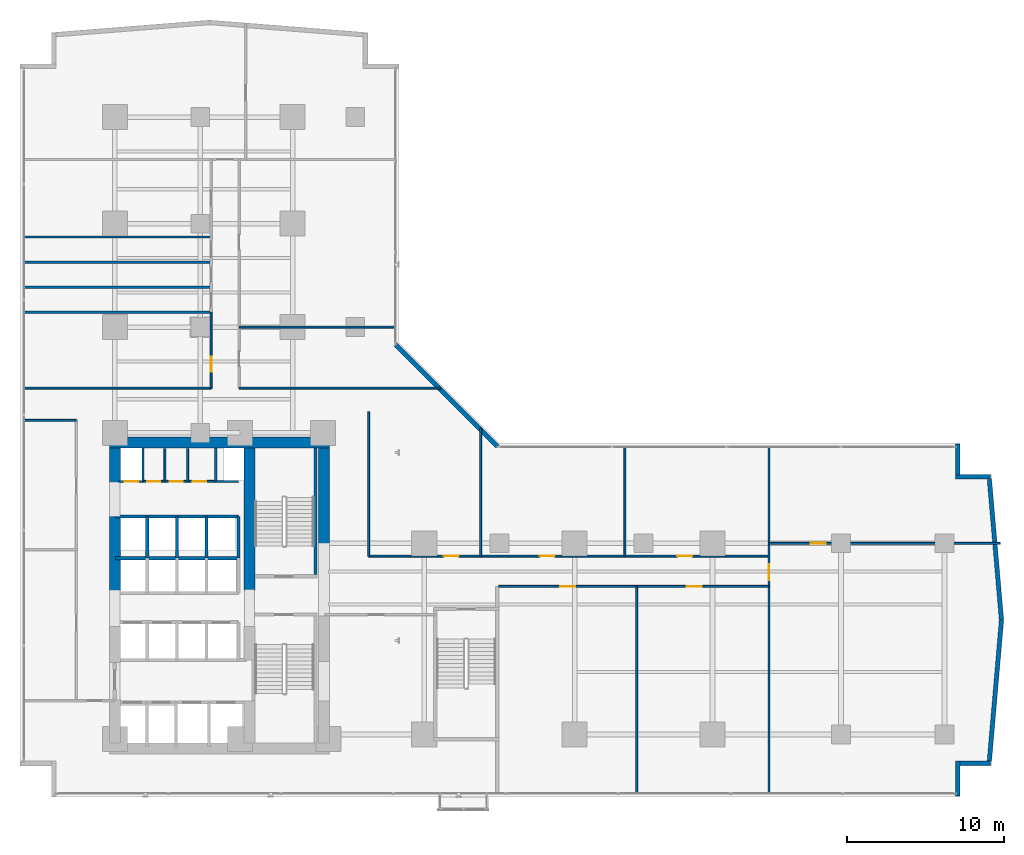
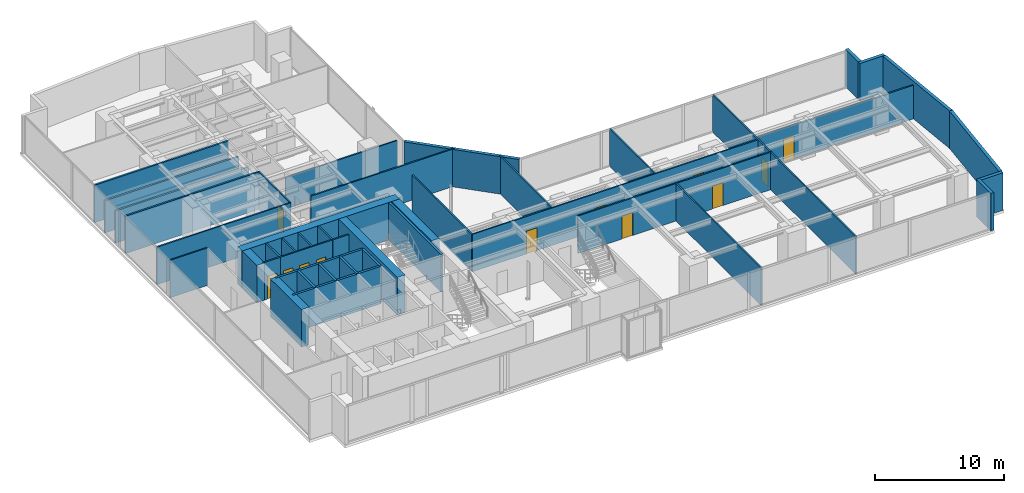
# One storey, part 23 of 26: 43 walls, 12 doors, 12 openings.
"""IFC4 building model written with IfcOpenShell, lengths in metres."""

from ifc_helpers import new_model, si_unit, direction, frame, frame_2d, origin, place, context, subcontext, project, spatial, rectangle, extrude, material, layer, layer_set, type_object, element, fill, save


model = new_model("IFC4")

# Units and contexts
model_context = context("Model", 3, precision=1e-05, world=origin(), true_north=direction((0.0, 1.0)))
body_context = subcontext(model_context, "Body", "Model", "MODEL_VIEW")
ifc_project = project(units=[si_unit("LENGTHUNIT", "METRE"), si_unit("AREAUNIT", "SQUARE_METRE"), si_unit("VOLUMEUNIT", "CUBIC_METRE"), si_unit("PLANEANGLEUNIT", "RADIAN"), si_unit("MASSUNIT", "GRAM", prefix="KILO")], contexts=[model_context])

# Site, building, storey
site_placement = place(None, origin())
site = spatial("IfcSite", under=ifc_project, at=site_placement, CompositionType="ELEMENT")
building_placement = place(site_placement, origin())
building = spatial("IfcBuilding", under=site, at=building_placement, Name="Kolvaren Waterfront Exchange", CompositionType="ELEMENT")
storey_placement = place(building_placement, frame((0.0, 0.0, 48.60009765625)))
storey = spatial("IfcBuildingStorey", under=building, at=storey_placement, Name="L12", CompositionType="ELEMENT", Elevation=48.60009765625)

# Walls
ifc_material_1 = material(Name="Precast concrete C40/50", Category="concrete")
ifc_layer_1 = layer(ifc_material_1, 0.280029296875, Name="Precast concrete C40/50")
ifc_layer_set_1 = layer_set([ifc_layer_1], Name="Precast concrete C40/50")
wall_type_1 = type_object("IfcWallType", Name="ARC-EXT-TERR-280", PredefinedType="SOLIDWALL", material=ifc_layer_set_1)
wall_1_placement = place(storey_placement, frame((61.239990234375, 1.260009765625, 0.0), z_axis=(0.0, 0.0, 1.0), x_axis=(0.0, 1.0, 0.0)))
element("IfcWall", 1, at=wall_1_placement, inside=storey, type_object=wall_type_1, Name="L12 notched corner spandrel pier SE-A", PredefinedType="SOLIDWALL", context=body_context, shape_type="SweptSolid", body=[
    extrude(rectangle(XDim=2.239990234375, YDim=0.280029296875, at=frame_2d((1.1201171875, 0.0))), origin(), (0.0, 0.0, 1.0), 3.539794921875),
])
wall_2_placement = place(storey_placement, frame((61.3798828125, 3.360107421875, 0.0), z_axis=(0.0, 0.0, 1.0), x_axis=(1.0, 0.0, 0.0)))
element("IfcWall", 2, at=wall_2_placement, inside=storey, type_object=wall_type_1, Name="L12 notched corner spandrel pier SE-B", PredefinedType="SOLIDWALL", context=body_context, shape_type="SweptSolid", body=[
    extrude(rectangle(XDim=1.960205078125, YDim=0.280029296875, at=frame_2d((0.97998046875, 0.0))), origin(), (0.0, 0.0, 1.0), 3.539794921875),
])
wall_3_placement = place(storey_placement, frame((61.239990234375, 21.764892578125, 0.0), z_axis=(0.0, 0.0, 1.0), x_axis=(0.0, 1.0, 0.0)))
element("IfcWall", 3, at=wall_3_placement, inside=storey, type_object=wall_type_1, Name="L12 notched corner spandrel pier ENE-A", PredefinedType="SOLIDWALL", context=body_context, shape_type="SweptSolid", body=[
    extrude(rectangle(XDim=1.97509765625, YDim=0.280029296875, at=frame_2d((0.987548828125, 0.0))), origin(), (0.0, 0.0, 1.0), 3.539794921875),
])
wall_4_placement = place(storey_placement, frame((61.10009765625, 21.639892578125, 0.0), z_axis=(0.0, 0.0, 1.0), x_axis=(1.0, 0.0, 0.0)))
element("IfcWall", 4, at=wall_4_placement, inside=storey, type_object=wall_type_1, Name="L12 notched corner spandrel pier ENE-B", PredefinedType="SOLIDWALL", context=body_context, shape_type="SweptSolid", body=[
    extrude(rectangle(XDim=2.239990234375, YDim=0.280029296875, at=frame_2d((1.1201171875, 0.0))), origin(), (0.0, 0.0, 1.0), 3.539794921875),
])
wall_5_placement = place(storey_placement, frame((31.885009765625, 23.574951171875, 0.0), z_axis=(0.0, 0.0, 1.0), x_axis=(-0.707106781187, 0.707106781187, 0.0)))
element("IfcWall", 5, at=wall_5_placement, inside=storey, type_object=wall_type_1, Name="L12 notched corner spandrel pier ELBOW", PredefinedType="SOLIDWALL", context=body_context, shape_type="SweptSolid", body=[
    extrude(rectangle(XDim=9.20654296875, YDim=0.280029296875, at=frame_2d((4.603271484375, 0.0))), origin(), (0.0, 0.0, 1.0), 3.539794921875),
])
for number, where, z_axis, x_axis, name in (
    (6, (63.266357421875, 3.5126953125, 0.0), (0.0, 0.0, 1.0), (0.085692274626, 0.996321651912, 0.0), "L12 east prow faceted facade wall 1"),
    (7, (64.038818359375, 12.506103515625, 0.0), (0.0, 0.0, 1.0), (-0.085692274626, 0.996321651912, 0.0), "L12 east prow faceted facade wall 2"),
):
    element("IfcWall", number, at=place(storey_placement, frame(where, z_axis=z_axis, x_axis=x_axis)), inside=storey, type_object=wall_type_1, Name=name, PredefinedType="SOLIDWALL", context=body_context, shape_type="SweptSolid", body=[
        extrude(rectangle(XDim=9.014404296875, YDim=0.280029296875, at=frame_2d((4.50732421875, 0.0))), origin(), (0.0, 0.0, 1.0), 3.539794921875),
    ])

# Wall, openings, doors
ifc_material_2 = material(Name="Acoustic gypsum steel stud", Category="steel")
ifc_layer_2 = layer(ifc_material_2, 0.125, Name="Acoustic gypsum steel stud")
ifc_layer_set_2 = layer_set([ifc_layer_2], Name="Acoustic gypsum steel stud")
wall_type_2 = type_object("IfcWallType", Name="ARC-PART-125", PredefinedType="PARTITIONING", material=ifc_layer_set_2)
wall_6_placement = place(storey_placement, frame((9.25, 21.35009765625, 0.0), z_axis=(0.0, 0.0, 1.0), x_axis=(1.0, 0.0, 0.0)))
wall_6 = element("IfcWall", 8, at=wall_6_placement, inside=storey, type_object=wall_type_2, Name="L12 interior wall PW-L12-SVC-EX-S", PredefinedType="PARTITIONING", context=body_context, shape_type="SweptSolid", body=[
    extrude(rectangle(XDim=4.64990234375, YDim=0.125, at=frame_2d((2.324951171875, 0.0))), origin(), (0.0, 0.0, 1.0), 3.539794921875),
])
opening_1_placement = place(wall_6_placement, frame((0.264892578125, 0.0, 0.0)))
opening_1 = element("IfcOpeningElement", 9, at=opening_1_placement, cuts=wall_6, Name="Opening D01", PredefinedType="OPENING", context=body_context, shape_type="SweptSolid", body=[
    extrude(rectangle(XDim=0.85009765625, YDim=2.14990234375, at=frame_2d((0.425048828125, 1.074951171875))), frame((0.0, 0.072509765625, 0.0), z_axis=(0.0, -1.0, 0.0), x_axis=(1.0, 0.0, 0.0)), (0.0, 0.0, 1.0), 0.14501953125),
])
opening_2_placement = place(wall_6_placement, frame((1.695068359375, 0.0, 0.0)))
opening_2 = element("IfcOpeningElement", 10, at=opening_2_placement, cuts=wall_6, Name="Opening D01", PredefinedType="OPENING", context=body_context, shape_type="SweptSolid", body=[
    extrude(rectangle(XDim=0.85009765625, YDim=2.14990234375, at=frame_2d((0.425048828125, 1.074951171875))), frame((0.0, 0.072509765625, 0.0), z_axis=(0.0, -1.0, 0.0), x_axis=(1.0, 0.0, 0.0)), (0.0, 0.0, 1.0), 0.14501953125),
])
opening_3_placement = place(wall_6_placement, frame((3.18994140625, 0.0, 0.0)))
opening_3 = element("IfcOpeningElement", 11, at=opening_3_placement, cuts=wall_6, Name="Opening D01", PredefinedType="OPENING", context=body_context, shape_type="SweptSolid", body=[
    extrude(rectangle(XDim=0.85009765625, YDim=2.14990234375, at=frame_2d((0.425048828125, 1.074951171875))), frame((0.0, 0.072509765625, 0.0), z_axis=(0.0, -1.0, 0.0), x_axis=(1.0, 0.0, 0.0)), (0.0, 0.0, 1.0), 0.14501953125),
])
ifc_material_3 = material(Name="Oak veneer timber leaf", Category="wood")
door_type_1 = type_object("IfcDoorType", Name="ARC-DR-900", OperationType="NOTDEFINED", PredefinedType="DOOR", material=ifc_material_3)
door_1_placement = place(opening_1_placement, origin())
door_1 = element("IfcDoor", 12, at=door_1_placement, inside=storey, type_object=door_type_1, Name="L12 door DR-L12-SVC-DR-1 (D01)", OperationType="SINGLE_SWING_LEFT", OverallHeight=2.14990234375, OverallWidth=0.85009765625, PredefinedType="DOOR", context=body_context, shape_type="SweptSolid", body=[
    extrude(rectangle(XDim=0.85009765625, YDim=2.14990234375, at=frame_2d((0.425048828125, 1.074951171875))), frame((0.0, 0.02490234375, 0.0), z_axis=(0.0, -1.0, 0.0), x_axis=(1.0, 0.0, 0.0)), (0.0, 0.0, 1.0), 0.050048828125),
])
fill(opening_1, door_1)
door_2_placement = place(opening_2_placement, origin())
door_2 = element("IfcDoor", 13, at=door_2_placement, inside=storey, type_object=door_type_1, Name="L12 door DR-L12-SVC-DR-2 (D01)", OperationType="SINGLE_SWING_RIGHT", OverallHeight=2.14990234375, OverallWidth=0.85009765625, PredefinedType="DOOR", context=body_context, shape_type="SweptSolid", body=[
    extrude(rectangle(XDim=0.85009765625, YDim=2.14990234375, at=frame_2d((0.425048828125, 1.074951171875))), frame((0.0, 0.02490234375, 0.0), z_axis=(0.0, -1.0, 0.0), x_axis=(1.0, 0.0, 0.0)), (0.0, 0.0, 1.0), 0.050048828125),
])
fill(opening_2, door_2)
door_3_placement = place(opening_3_placement, origin())
door_3 = element("IfcDoor", 14, at=door_3_placement, inside=storey, type_object=door_type_1, Name="L12 door DR-L12-SVC-DR-3 (D01)", OperationType="SINGLE_SWING_LEFT", OverallHeight=2.14990234375, OverallWidth=0.85009765625, PredefinedType="DOOR", context=body_context, shape_type="SweptSolid", body=[
    extrude(rectangle(XDim=0.85009765625, YDim=2.14990234375, at=frame_2d((0.425048828125, 1.074951171875))), frame((0.0, 0.02490234375, 0.0), z_axis=(0.0, -1.0, 0.0), x_axis=(1.0, 0.0, 0.0)), (0.0, 0.0, 1.0), 0.050048828125),
])
fill(opening_3, door_3)

# Walls
for number, where, z_axis, x_axis, name in (
    (15, (10.64990234375, 21.35009765625, 0.0), (0.0, 0.0, 1.0), (0.0, 1.0, 0.0), "L12 interior wall PW-L12-SVC-EX-A"),
    (16, (12.10009765625, 21.35009765625, 0.0), (0.0, 0.0, 1.0), (0.0, 1.0, 0.0), "L12 interior wall PW-L12-SVC-EX-B"),
):
    element("IfcWall", number, at=place(storey_placement, frame(where, z_axis=z_axis, x_axis=x_axis)), inside=storey, type_object=wall_type_2, Name=name, PredefinedType="PARTITIONING", context=body_context, shape_type="SweptSolid", body=[
        extrude(rectangle(XDim=2.099853515625, YDim=0.125, at=frame_2d((1.0498046875, 0.0))), origin(), (0.0, 0.0, 1.0), 3.539794921875),
    ])

# Wall, opening, door
wall_7_placement = place(storey_placement, frame((13.60009765625, 27.300048828125, 0.0), z_axis=(0.0, 0.0, 1.0), x_axis=(0.0, 1.0, 0.0)))
wall_7 = element("IfcWall", 17, at=wall_7_placement, inside=storey, type_object=wall_type_2, Name="L12 interior wall PW-L12-PREWC-E", PredefinedType="PARTITIONING", context=body_context, shape_type="SweptSolid", body=[
    extrude(rectangle(XDim=4.849853515625, YDim=0.125, at=frame_2d((2.4248046875, 0.0))), origin(), (0.0, 0.0, 1.0), 3.539794921875),
])
opening_4_placement = place(wall_7_placement, frame((1.050048828125, 0.0, 0.0)))
opening_4 = element("IfcOpeningElement", 18, at=opening_4_placement, cuts=wall_7, Name="Opening D02", PredefinedType="OPENING", context=body_context, shape_type="SweptSolid", body=[
    extrude(rectangle(XDim=0.949951171875, YDim=2.14990234375, at=frame_2d((0.47509765625, 1.074951171875))), frame((0.0, 0.072509765625, 0.0), z_axis=(0.0, -1.0, 0.0), x_axis=(1.0, 0.0, 0.0)), (0.0, 0.0, 1.0), 0.14501953125),
])
ifc_material_4 = material(Name="Oak veneer acoustic timber", Category="wood")
door_type_2 = type_object("IfcDoorType", Name="ARC-DR-950", OperationType="NOTDEFINED", PredefinedType="DOOR", material=ifc_material_4)
door_4_placement = place(opening_4_placement, origin())
door_4 = element("IfcDoor", 19, at=door_4_placement, inside=storey, type_object=door_type_2, Name="L12 door DR-L12-PREWC-D (D02)", OperationType="SINGLE_SWING_RIGHT", OverallHeight=2.14990234375, OverallWidth=0.949951171875, PredefinedType="DOOR", context=body_context, shape_type="SweptSolid", body=[
    extrude(rectangle(XDim=0.949951171875, YDim=2.14990234375, at=frame_2d((0.47509765625, 1.074951171875))), frame((0.0, 0.02490234375, 0.0), z_axis=(0.0, -1.0, 0.0), x_axis=(1.0, 0.0, 0.0)), (0.0, 0.0, 1.0), 0.050048828125),
])
fill(opening_4, door_4)

# Walls
wall_8_placement = place(storey_placement, frame((1.639892578125, 27.300048828125, 0.0), z_axis=(0.0, 0.0, 1.0), x_axis=(1.0, 0.0, 0.0)))
element("IfcWall", 20, at=wall_8_placement, inside=storey, type_object=wall_type_2, Name="L12 interior wall PW-L12-PREWC-S", PredefinedType="PARTITIONING", context=body_context, shape_type="SweptSolid", body=[
    extrude(rectangle(XDim=11.960205078125, YDim=0.125, at=frame_2d((5.97998046875, 0.0))), origin(), (0.0, 0.0, 1.0), 3.539794921875),
])
wall_9_placement = place(storey_placement, frame((1.639892578125, 25.25, 0.0), z_axis=(0.0, 0.0, 1.0), x_axis=(1.0, 0.0, 0.0)))
element("IfcWall", 21, at=wall_9_placement, inside=storey, type_object=wall_type_2, Name="L12 interior wall PW-L12-WFLANK-N", PredefinedType="PARTITIONING", context=body_context, shape_type="SweptSolid", body=[
    extrude(rectangle(XDim=3.360107421875, YDim=0.125, at=frame_2d((1.68017578125, 0.0))), origin(), (0.0, 0.0, 1.0), 3.539794921875),
])

# Wall, openings, doors
wall_10_placement = place(storey_placement, frame((31.949951171875, 14.64990234375, 0.0), z_axis=(0.0, 0.0, 1.0), x_axis=(1.0, 0.0, 0.0)))
wall_10 = element("IfcWall", 22, at=wall_10_placement, inside=storey, type_object=wall_type_2, Name="L12 interior wall PW-L12-ES-CORR", PredefinedType="PARTITIONING", context=body_context, shape_type="SweptSolid", body=[
    extrude(rectangle(XDim=17.25, YDim=0.125, at=frame_2d((8.625, 0.0))), origin(), (0.0, 0.0, 1.0), 3.539794921875),
])
opening_5_placement = place(wall_10_placement, frame((3.925048828125, 0.0, 0.0)))
opening_5 = element("IfcOpeningElement", 23, at=opening_5_placement, cuts=wall_10, Name="Opening D02", PredefinedType="OPENING", context=body_context, shape_type="SweptSolid", body=[
    extrude(rectangle(XDim=0.949951171875, YDim=2.14990234375, at=frame_2d((0.47509765625, 1.074951171875))), frame((0.0, 0.072509765625, 0.0), z_axis=(0.0, -1.0, 0.0), x_axis=(1.0, 0.0, 0.0)), (0.0, 0.0, 1.0), 0.14501953125),
])
opening_6_placement = place(wall_10_placement, frame((12.0048828125, 0.0, 0.0)))
opening_6 = element("IfcOpeningElement", 24, at=opening_6_placement, cuts=wall_10, Name="Opening D02", PredefinedType="OPENING", context=body_context, shape_type="SweptSolid", body=[
    extrude(rectangle(XDim=0.949951171875, YDim=2.14990234375, at=frame_2d((0.47509765625, 1.074951171875))), frame((0.0, 0.072509765625, 0.0), z_axis=(0.0, -1.0, 0.0), x_axis=(1.0, 0.0, 0.0)), (0.0, 0.0, 1.0), 0.14501953125),
])
door_5_placement = place(opening_5_placement, origin())
door_5 = element("IfcDoor", 25, at=door_5_placement, inside=storey, type_object=door_type_2, Name="L12 door DR-L12-ES-D-1 (D02)", OperationType="SINGLE_SWING_RIGHT", OverallHeight=2.14990234375, OverallWidth=0.949951171875, PredefinedType="DOOR", context=body_context, shape_type="SweptSolid", body=[
    extrude(rectangle(XDim=0.949951171875, YDim=2.14990234375, at=frame_2d((0.47509765625, 1.074951171875))), frame((0.0, 0.02490234375, 0.0), z_axis=(0.0, -1.0, 0.0), x_axis=(1.0, 0.0, 0.0)), (0.0, 0.0, 1.0), 0.050048828125),
])
fill(opening_5, door_5)
door_6_placement = place(opening_6_placement, origin())
door_6 = element("IfcDoor", 26, at=door_6_placement, inside=storey, type_object=door_type_2, Name="L12 door DR-L12-ES-D-2 (D02)", OperationType="SINGLE_SWING_LEFT", OverallHeight=2.14990234375, OverallWidth=0.949951171875, PredefinedType="DOOR", context=body_context, shape_type="SweptSolid", body=[
    extrude(rectangle(XDim=0.949951171875, YDim=2.14990234375, at=frame_2d((0.47509765625, 1.074951171875))), frame((0.0, 0.02490234375, 0.0), z_axis=(0.0, -1.0, 0.0), x_axis=(1.0, 0.0, 0.0)), (0.0, 0.0, 1.0), 0.050048828125),
])
fill(opening_6, door_6)

# Wall
wall_11_placement = place(storey_placement, frame((40.75, 1.43994140625, 0.0), z_axis=(0.0, 0.0, 1.0), x_axis=(0.0, 1.0, 0.0)))
element("IfcWall", 27, at=wall_11_placement, inside=storey, type_object=wall_type_2, Name="L12 interior wall PW-L12-ES-DIV-1", PredefinedType="PARTITIONING", context=body_context, shape_type="SweptSolid", body=[
    extrude(rectangle(XDim=13.2099609375, YDim=0.125, at=frame_2d((6.60498046875, 0.0))), origin(), (0.0, 0.0, 1.0), 3.539794921875),
])

# Wall, opening, door
wall_12_placement = place(storey_placement, frame((49.199951171875, 1.43994140625, 0.0), z_axis=(0.0, 0.0, 1.0), x_axis=(0.0, 1.0, 0.0)))
wall_12 = element("IfcWall", 28, at=wall_12_placement, inside=storey, type_object=wall_type_2, Name="L12 interior wall PW-L12-ETIP-W", PredefinedType="PARTITIONING", context=body_context, shape_type="SweptSolid", body=[
    extrude(rectangle(XDim=22.1201171875, YDim=0.125, at=frame_2d((11.06005859375, 0.0))), origin(), (0.0, 0.0, 1.0), 3.539794921875),
])
opening_7_placement = place(wall_12_placement, frame((13.610107421875, 0.0, 0.0)))
opening_7 = element("IfcOpeningElement", 29, at=opening_7_placement, cuts=wall_12, Name="Opening D03", PredefinedType="OPENING", context=body_context, shape_type="SweptSolid", body=[
    extrude(rectangle(XDim=1.0, YDim=2.199951171875, at=frame_2d((0.5, 1.10009765625))), frame((0.0, 0.072509765625, 0.0), z_axis=(0.0, -1.0, 0.0), x_axis=(1.0, 0.0, 0.0)), (0.0, 0.0, 1.0), 0.14501953125),
])
ifc_material_5 = material(Name="Oak veneer accessible timber", Category="wood")
door_type_3 = type_object("IfcDoorType", Name="ARC-DR-1000", OperationType="NOTDEFINED", PredefinedType="DOOR", material=ifc_material_5)
door_7_placement = place(opening_7_placement, origin())
door_7 = element("IfcDoor", 30, at=door_7_placement, inside=storey, type_object=door_type_3, Name="L12 door DR-L12-ETIP1-D (D03)", OperationType="SINGLE_SWING_RIGHT", OverallHeight=2.199951171875, OverallWidth=1.0, PredefinedType="DOOR", context=body_context, shape_type="SweptSolid", body=[
    extrude(rectangle(XDim=1.0, YDim=2.199951171875, at=frame_2d((0.5, 1.10009765625))), frame((0.0, 0.02490234375, 0.0), z_axis=(0.0, -1.0, 0.0), x_axis=(1.0, 0.0, 0.0)), (0.0, 0.0, 1.0), 0.050048828125),
])
fill(opening_7, door_7)

wall_13_placement = place(storey_placement, frame((49.199951171875, 17.39990234375, 0.0), z_axis=(0.0, 0.0, 1.0), x_axis=(1.0, 0.0, 0.0)))
wall_13 = element("IfcWall", 31, at=wall_13_placement, inside=storey, type_object=wall_type_2, Name="L12 interior wall PW-L12-ETIP-MID", PredefinedType="PARTITIONING", context=body_context, shape_type="SweptSolid", body=[
    extrude(rectangle(XDim=14.760009765625, YDim=0.125, at=frame_2d((7.3798828125, 0.0))), origin(), (0.0, 0.0, 1.0), 3.179931640625),
])
opening_8_placement = place(wall_13_placement, frame((2.66259765625, 0.0, 0.0)))
opening_8 = element("IfcOpeningElement", 32, at=opening_8_placement, cuts=wall_13, Name="Opening D02", PredefinedType="OPENING", context=body_context, shape_type="SweptSolid", body=[
    extrude(rectangle(XDim=0.949951171875, YDim=2.14990234375, at=frame_2d((0.47509765625, 1.074951171875))), frame((0.0, 0.072509765625, 0.0), z_axis=(0.0, -1.0, 0.0), x_axis=(1.0, 0.0, 0.0)), (0.0, 0.0, 1.0), 0.14501953125),
])
door_8_placement = place(opening_8_placement, origin())
door_8 = element("IfcDoor", 33, at=door_8_placement, inside=storey, type_object=door_type_2, Name="L12 door DR-L12-ETIP2-D (D02)", OperationType="SINGLE_SWING_LEFT", OverallHeight=2.14990234375, OverallWidth=0.949951171875, PredefinedType="DOOR", context=body_context, shape_type="SweptSolid", body=[
    extrude(rectangle(XDim=0.949951171875, YDim=2.14990234375, at=frame_2d((0.47509765625, 1.074951171875))), frame((0.0, 0.02490234375, 0.0), z_axis=(0.0, -1.0, 0.0), x_axis=(1.0, 0.0, 0.0)), (0.0, 0.0, 1.0), 0.050048828125),
])
fill(opening_8, door_8)

# Wall
wall_14_placement = place(storey_placement, frame((23.64990234375, 16.590087890625, 0.0), z_axis=(0.0, 0.0, 1.0), x_axis=(0.0, 1.0, 0.0)))
element("IfcWall", 34, at=wall_14_placement, inside=storey, type_object=wall_type_2, Name="L12 interior wall PW-L12-EN-W0", PredefinedType="PARTITIONING", context=body_context, shape_type="SweptSolid", body=[
    extrude(rectangle(XDim=9.2099609375, YDim=0.125, at=frame_2d((4.60498046875, 0.0))), origin(), (0.0, 0.0, 1.0), 3.539794921875),
])

# Wall, openings, doors
wall_15_placement = place(storey_placement, frame((23.64990234375, 16.590087890625, 0.0), z_axis=(0.0, 0.0, 1.0), x_axis=(1.0, 0.0, 0.0)))
wall_15 = element("IfcWall", 35, at=wall_15_placement, inside=storey, type_object=wall_type_2, Name="L12 interior wall PW-L12-EN-CORR", PredefinedType="PARTITIONING", context=body_context, shape_type="SweptSolid", body=[
    extrude(rectangle(XDim=25.550048828125, YDim=0.125, at=frame_2d((12.77490234375, 0.0))), origin(), (0.0, 0.0, 1.0), 3.539794921875),
])
opening_9_placement = place(wall_15_placement, frame((4.805419921875, 0.0, 0.0)))
opening_9 = element("IfcOpeningElement", 36, at=opening_9_placement, cuts=wall_15, Name="Opening D02", PredefinedType="OPENING", context=body_context, shape_type="SweptSolid", body=[
    extrude(rectangle(XDim=0.949951171875, YDim=2.14990234375, at=frame_2d((0.47509765625, 1.074951171875))), frame((0.0, 0.072509765625, 0.0), z_axis=(0.0, -1.0, 0.0), x_axis=(1.0, 0.0, 0.0)), (0.0, 0.0, 1.0), 0.14501953125),
])
opening_10_placement = place(wall_15_placement, frame((10.923583984375, 0.0, 0.0)))
opening_10 = element("IfcOpeningElement", 37, at=opening_10_placement, cuts=wall_15, Name="Opening D02", PredefinedType="OPENING", context=body_context, shape_type="SweptSolid", body=[
    extrude(rectangle(XDim=0.949951171875, YDim=2.14990234375, at=frame_2d((0.47509765625, 1.074951171875))), frame((0.0, 0.072509765625, 0.0), z_axis=(0.0, -1.0, 0.0), x_axis=(1.0, 0.0, 0.0)), (0.0, 0.0, 1.0), 0.14501953125),
])
opening_11_placement = place(wall_15_placement, frame((19.701904296875, 0.0, 0.0)))
opening_11 = element("IfcOpeningElement", 38, at=opening_11_placement, cuts=wall_15, Name="Opening D02", PredefinedType="OPENING", context=body_context, shape_type="SweptSolid", body=[
    extrude(rectangle(XDim=0.949951171875, YDim=2.14990234375, at=frame_2d((0.47509765625, 1.074951171875))), frame((0.0, 0.072509765625, 0.0), z_axis=(0.0, -1.0, 0.0), x_axis=(1.0, 0.0, 0.0)), (0.0, 0.0, 1.0), 0.14501953125),
])
door_9_placement = place(opening_9_placement, origin())
door_9 = element("IfcDoor", 39, at=door_9_placement, inside=storey, type_object=door_type_2, Name="L12 door DR-L12-EN-D-1 (D02)", OperationType="SINGLE_SWING_RIGHT", OverallHeight=2.14990234375, OverallWidth=0.949951171875, PredefinedType="DOOR", context=body_context, shape_type="SweptSolid", body=[
    extrude(rectangle(XDim=0.949951171875, YDim=2.14990234375, at=frame_2d((0.47509765625, 1.074951171875))), frame((0.0, 0.02490234375, 0.0), z_axis=(0.0, -1.0, 0.0), x_axis=(1.0, 0.0, 0.0)), (0.0, 0.0, 1.0), 0.050048828125),
])
fill(opening_9, door_9)
door_10_placement = place(opening_10_placement, origin())
door_10 = element("IfcDoor", 40, at=door_10_placement, inside=storey, type_object=door_type_2, Name="L12 door DR-L12-EN-D-2 (D02)", OperationType="SINGLE_SWING_LEFT", OverallHeight=2.14990234375, OverallWidth=0.949951171875, PredefinedType="DOOR", context=body_context, shape_type="SweptSolid", body=[
    extrude(rectangle(XDim=0.949951171875, YDim=2.14990234375, at=frame_2d((0.47509765625, 1.074951171875))), frame((0.0, 0.02490234375, 0.0), z_axis=(0.0, -1.0, 0.0), x_axis=(1.0, 0.0, 0.0)), (0.0, 0.0, 1.0), 0.050048828125),
])
fill(opening_10, door_10)
door_11_placement = place(opening_11_placement, origin())
door_11 = element("IfcDoor", 41, at=door_11_placement, inside=storey, type_object=door_type_2, Name="L12 door DR-L12-EN-D-3 (D02)", OperationType="SINGLE_SWING_RIGHT", OverallHeight=2.14990234375, OverallWidth=0.949951171875, PredefinedType="DOOR", context=body_context, shape_type="SweptSolid", body=[
    extrude(rectangle(XDim=0.949951171875, YDim=2.14990234375, at=frame_2d((0.47509765625, 1.074951171875))), frame((0.0, 0.02490234375, 0.0), z_axis=(0.0, -1.0, 0.0), x_axis=(1.0, 0.0, 0.0)), (0.0, 0.0, 1.0), 0.050048828125),
])
fill(opening_11, door_11)

# Walls
wall_16_placement = place(storey_placement, frame((30.800048828125, 16.590087890625, 0.0), z_axis=(0.0, 0.0, 1.0), x_axis=(0.0, 1.0, 0.0)))
element("IfcWall", 42, at=wall_16_placement, inside=storey, type_object=wall_type_2, Name="L12 interior wall PW-L12-EN-DIV-1", PredefinedType="PARTITIONING", context=body_context, shape_type="SweptSolid", body=[
    extrude(rectangle(XDim=8.169921875, YDim=0.125, at=frame_2d((4.0849609375, 0.0))), origin(), (0.0, 0.0, 1.0), 3.539794921875),
])
wall_17_placement = place(storey_placement, frame((40.0, 16.590087890625, 0.0), z_axis=(0.0, 0.0, 1.0), x_axis=(0.0, 1.0, 0.0)))
element("IfcWall", 43, at=wall_17_placement, inside=storey, type_object=wall_type_2, Name="L12 interior wall PW-L12-EN-DIV-2", PredefinedType="PARTITIONING", context=body_context, shape_type="SweptSolid", body=[
    extrude(rectangle(XDim=6.969970703125, YDim=0.125, at=frame_2d((3.48486328125, 0.0))), origin(), (0.0, 0.0, 1.0), 3.539794921875),
])
wall_18_placement = place(storey_placement, frame((15.3798828125, 27.300048828125, 0.0), z_axis=(0.0, 0.0, 1.0), x_axis=(1.0, 0.0, 0.0)))
element("IfcWall", 44, at=wall_18_placement, inside=storey, type_object=wall_type_2, Name="L12 interior wall PW-L12-NE-S0", PredefinedType="PARTITIONING", context=body_context, shape_type="SweptSolid", body=[
    extrude(rectangle(XDim=12.880126953125, YDim=0.125, at=frame_2d((6.43994140625, 0.0))), origin(), (0.0, 0.0, 1.0), 3.539794921875),
])
wall_19_placement = place(storey_placement, frame((15.3798828125, 31.199951171875, 0.0), z_axis=(0.0, 0.0, 1.0), x_axis=(1.0, 0.0, 0.0)))
element("IfcWall", 45, at=wall_19_placement, inside=storey, type_object=wall_type_2, Name="L12 interior wall PW-L12-NE-DIV-1", PredefinedType="PARTITIONING", context=body_context, shape_type="SweptSolid", body=[
    extrude(rectangle(XDim=9.980224609375, YDim=0.125, at=frame_2d((4.990234375, 0.0))), origin(), (0.0, 0.0, 1.0), 2.93994140625),
])
ifc_material_6 = material(Name="Gypsum fireboard steel stud", Category="steel")
ifc_layer_3 = layer(ifc_material_6, 0.14990234375, Name="Gypsum fireboard steel stud")
ifc_layer_set_3 = layer_set([ifc_layer_3], Name="Gypsum fireboard steel stud")
wall_type_3 = type_object("IfcWallType", Name="ARC-PART-150", PredefinedType="PARTITIONING", material=ifc_layer_set_3)
for number, where, z_axis, x_axis, name in (
    (46, (9.25, 21.35009765625, 0.0), (0.0, 0.0, 1.0), (0.0, 1.0, 0.0), "L12 interior wall PW-L12-SVC-R1"),
    (47, (13.89990234375, 21.35009765625, 0.0), (0.0, 0.0, 1.0), (0.0, 1.0, 0.0), "L12 interior wall PW-L12-SVC-R2"),
):
    element("IfcWall", number, at=place(storey_placement, frame(where, z_axis=z_axis, x_axis=x_axis)), inside=storey, type_object=wall_type_3, Name=name, PredefinedType="PARTITIONING", context=body_context, shape_type="SweptSolid", body=[
        extrude(rectangle(XDim=2.1298828125, YDim=0.14990234375, at=frame_2d((1.06494140625, 0.0))), origin(), (0.0, 0.0, 1.0), 3.539794921875),
    ])

# Wall, opening, door
wall_20_placement = place(storey_placement, frame((7.699951171875, 21.35009765625, 0.0), z_axis=(0.0, 0.0, 1.0), x_axis=(1.0, 0.0, 0.0)))
wall_20 = element("IfcWall", 48, at=wall_20_placement, inside=storey, type_object=wall_type_3, Name="L12 interior wall PW-L12-SVC-RE-S", PredefinedType="PARTITIONING", context=body_context, shape_type="SweptSolid", body=[
    extrude(rectangle(XDim=1.550048828125, YDim=0.14990234375, at=frame_2d((0.77490234375, 0.0))), origin(), (0.0, 0.0, 1.0), 3.539794921875),
])
opening_12_placement = place(wall_20_placement, frame((0.389892578125, 0.0, 0.0)))
opening_12 = element("IfcOpeningElement", 49, at=opening_12_placement, cuts=wall_20, Name="Opening FD1", PredefinedType="OPENING", context=body_context, shape_type="SweptSolid", body=[
    extrude(rectangle(XDim=0.85009765625, YDim=2.14990234375, at=frame_2d((0.425048828125, 1.074951171875))), frame((0.0, 0.0849609375, 0.0), z_axis=(0.0, -1.0, 0.0), x_axis=(1.0, 0.0, 0.0)), (0.0, 0.0, 1.0), 0.169921875),
])
ifc_material_7 = material(Name="Pressed steel fire leaf", Category="steel")
door_type_4 = type_object("IfcDoorType", Name="ARC-FD-900", OperationType="NOTDEFINED", PredefinedType="DOOR", material=ifc_material_7)
door_12_placement = place(opening_12_placement, origin())
door_12 = element("IfcDoor", 50, at=door_12_placement, inside=storey, type_object=door_type_4, Name="L12 door DR-L12-RISER-E-DR (FD1)", OperationType="SINGLE_SWING_RIGHT", OverallHeight=2.14990234375, OverallWidth=0.85009765625, PredefinedType="DOOR", context=body_context, shape_type="SweptSolid", body=[
    extrude(rectangle(XDim=0.85009765625, YDim=2.14990234375, at=frame_2d((0.425048828125, 1.074951171875))), frame((0.0, 0.02490234375, 0.0), z_axis=(0.0, -1.0, 0.0), x_axis=(1.0, 0.0, 0.0)), (0.0, 0.0, 1.0), 0.050048828125),
])
fill(opening_12, door_12)

# Walls
wall_21_placement = place(storey_placement, frame((13.89990234375, 21.35009765625, 0.0), z_axis=(0.0, 0.0, 1.0), x_axis=(1.0, 0.0, 0.0)))
element("IfcWall", 51, at=wall_21_placement, inside=storey, type_object=wall_type_3, Name="L12 interior wall PW-L12-SVC-RP-S", PredefinedType="PARTITIONING", context=body_context, shape_type="SweptSolid", body=[
    extrude(rectangle(XDim=1.4501953125, YDim=0.14990234375, at=frame_2d((0.72509765625, 0.0))), origin(), (0.0, 0.0, 1.0), 3.539794921875),
])
ifc_material_8 = material(Name="Moisture-resistant gypsum stud")
ifc_layer_4 = layer(ifc_material_8, 0.14990234375, Name="Moisture-resistant gypsum stud")
ifc_layer_set_4 = layer_set([ifc_layer_4], Name="Moisture-resistant gypsum stud")
wall_type_4 = type_object("IfcWallType", Name="ARC-PLUMB-150", PredefinedType="PLUMBINGWALL", material=ifc_layer_set_4)
wall_22_placement = place(storey_placement, frame((1.639892578125, 32.14990234375, 0.0), z_axis=(0.0, 0.0, 1.0), x_axis=(1.0, 0.0, 0.0)))
element("IfcWall", 52, at=wall_22_placement, inside=storey, type_object=wall_type_4, Name="L12 interior wall PW-L12-WC-0", PredefinedType="PLUMBINGWALL", context=body_context, shape_type="SweptSolid", body=[
    extrude(rectangle(XDim=11.960205078125, YDim=0.14990234375, at=frame_2d((5.97998046875, 0.0))), origin(), (0.0, 0.0, 1.0), 3.539794921875),
])
for number, where, z_axis, x_axis, name in (
    (53, (1.639892578125, 33.75, 0.0), (0.0, 0.0, 1.0), (1.0, 0.0, 0.0), "L12 interior wall PW-L12-WC-1"),
    (54, (1.639892578125, 35.35009765625, 0.0), (0.0, 0.0, 1.0), (1.0, 0.0, 0.0), "L12 interior wall PW-L12-WC-2"),
):
    element("IfcWall", number, at=place(storey_placement, frame(where, z_axis=z_axis, x_axis=x_axis)), inside=storey, type_object=wall_type_4, Name=name, PredefinedType="PLUMBINGWALL", context=body_context, shape_type="SweptSolid", body=[
        extrude(rectangle(XDim=11.960205078125, YDim=0.14990234375, at=frame_2d((5.97998046875, 0.0))), origin(), (0.0, 0.0, 1.0), 3.039794921875),
    ])
wall_23_placement = place(storey_placement, frame((1.639892578125, 36.949951171875, 0.0), z_axis=(0.0, 0.0, 1.0), x_axis=(1.0, 0.0, 0.0)))
element("IfcWall", 55, at=wall_23_placement, inside=storey, type_object=wall_type_4, Name="L12 interior wall PW-L12-WC-3", PredefinedType="PLUMBINGWALL", context=body_context, shape_type="SweptSolid", body=[
    extrude(rectangle(XDim=11.960205078125, YDim=0.14990234375, at=frame_2d((5.97998046875, 0.0))), origin(), (0.0, 0.0, 1.0), 3.539794921875),
])
ifc_material_9 = material(Name="Concrete C40/50", Category="concrete")
ifc_layer_5 = layer(ifc_material_9, 0.199951171875, Name="Concrete C40/50")
ifc_layer_set_5 = layer_set([ifc_layer_5], Name="Concrete C40/50")
wall_type_5 = type_object("IfcWallType", Name="ARC-SHAFT-200", PredefinedType="PARTITIONING", material=ifc_layer_set_5)
wall_24_placement = place(storey_placement, frame((20.260009765625, 15.39990234375, 0.0), z_axis=(0.0, 0.0, 1.0), x_axis=(0.0, 1.0, 0.0)))
element("IfcWall", 56, at=wall_24_placement, inside=storey, type_object=wall_type_5, Name="L12 structural stairwell wall PW-L12-ST2-E", PredefinedType="SHEAR", context=body_context, shape_type="SweptSolid", body=[
    extrude(rectangle(XDim=8.090087890625, YDim=0.199951171875, at=frame_2d((4.044921875, 0.0))), origin(), (0.0, 0.0, 1.0), 3.539794921875),
])
for number, where, z_axis, x_axis, name in (
    (57, (7.5, 16.449951171875, 0.0), (0.0, 0.0, 1.0), (1.0, 0.0, 0.0), "L12 interior wall PW-L12-PM-N"),
    (58, (7.5, 19.1201171875, 0.0), (0.0, 0.0, 1.0), (1.0, 0.0, 0.0), "L12 interior wall PW-L12-PH-N"),
):
    element("IfcWall", number, at=place(storey_placement, frame(where, z_axis=z_axis, x_axis=x_axis)), inside=storey, type_object=wall_type_5, Name=name, PredefinedType="PARTITIONING", context=body_context, shape_type="SweptSolid", body=[
        extrude(rectangle(XDim=7.85009765625, YDim=0.199951171875, at=frame_2d((3.925048828125, 0.0))), origin(), (0.0, 0.0, 1.0), 3.539794921875),
    ])
for number, where, z_axis, x_axis, name in (
    (59, (15.35009765625, 16.449951171875, 0.0), (0.0, 0.0, 1.0), (0.0, 1.0, 0.0), "L12 interior wall PW-L12-PH-E"),
    (60, (9.52001953125, 16.449951171875, 0.0), (0.0, 0.0, 1.0), (0.0, 1.0, 0.0), "L12 interior wall PW-L12-SH4-DIV-95"),
    (61, (11.409912109375, 16.449951171875, 0.0), (0.0, 0.0, 1.0), (0.0, 1.0, 0.0), "L12 interior wall PW-L12-SH4-DIV-114"),
    (62, (13.300048828125, 16.449951171875, 0.0), (0.0, 0.0, 1.0), (0.0, 1.0, 0.0), "L12 interior wall PW-L12-SH4-DIV-133"),
):
    element("IfcWall", number, at=place(storey_placement, frame(where, z_axis=z_axis, x_axis=x_axis)), inside=storey, type_object=wall_type_5, Name=name, PredefinedType="PARTITIONING", context=body_context, shape_type="SweptSolid", body=[
        extrude(rectangle(XDim=2.670166015625, YDim=0.199951171875, at=frame_2d((1.3349609375, 0.0))), origin(), (0.0, 0.0, 1.0), 3.539794921875),
    ])
ifc_material_10 = material(Name="Concrete C70/85", Category="concrete")
ifc_layer_6 = layer(ifc_material_10, 0.699951171875, Name="Concrete C70/85")
ifc_layer_set_6 = layer_set([ifc_layer_6], Name="Concrete C70/85")
wall_type_6 = type_object("IfcWallType", Name="STR-CWALL-700", PredefinedType="SHEAR", material=ifc_layer_set_6)
wall_25_placement = place(storey_placement, frame((7.10009765625, 23.85009765625, 0.0), z_axis=(0.0, 0.0, 1.0), x_axis=(1.0, 0.0, 0.0)))
element("IfcWall", 63, at=wall_25_placement, inside=storey, type_object=wall_type_6, Name="L12 rear-core shear wall N", PredefinedType="SHEAR", context=body_context, shape_type="SweptSolid", body=[
    extrude(rectangle(XDim=14.0498046875, YDim=0.699951171875, at=frame_2d((7.02490234375, 0.0))), origin(), (0.0, 0.0, 1.0), 3.539794921875),
])
wall_26_placement = place(storey_placement, frame((7.449951171875, 14.35009765625, 0.0), z_axis=(0.0, 0.0, 1.0), x_axis=(0.0, 1.0, 0.0)))
element("IfcWall", 64, at=wall_26_placement, inside=storey, type_object=wall_type_6, Name="L12 rear-core shear wall W2B", PredefinedType="SHEAR", context=body_context, shape_type="SweptSolid", body=[
    extrude(rectangle(XDim=4.809814453125, YDim=0.699951171875, at=frame_2d((2.40478515625, 0.0))), origin(), (0.0, 0.0, 1.0), 3.539794921875),
])
wall_27_placement = place(storey_placement, frame((7.449951171875, 21.239990234375, 0.0), z_axis=(0.0, 0.0, 1.0), x_axis=(0.0, 1.0, 0.0)))
element("IfcWall", 65, at=wall_27_placement, inside=storey, type_object=wall_type_6, Name="L12 rear-core shear wall W3", PredefinedType="SHEAR", context=body_context, shape_type="SweptSolid", body=[
    extrude(rectangle(XDim=2.260009765625, YDim=0.699951171875, at=frame_2d((1.1298828125, 0.0))), origin(), (0.0, 0.0, 1.0), 3.539794921875),
])
wall_28_placement = place(storey_placement, frame((20.800048828125, 17.35009765625, 0.0), z_axis=(0.0, 0.0, 1.0), x_axis=(0.0, 1.0, 0.0)))
element("IfcWall", 66, at=wall_28_placement, inside=storey, type_object=wall_type_6, Name="L12 rear-core shear wall E3", PredefinedType="SHEAR", context=body_context, shape_type="SweptSolid", body=[
    extrude(rectangle(XDim=6.14990234375, YDim=0.699951171875, at=frame_2d((3.074951171875, 0.0))), origin(), (0.0, 0.0, 1.0), 3.539794921875),
])
wall_29_placement = place(storey_placement, frame((16.050048828125, 14.39990234375, 0.0), z_axis=(0.0, 0.0, 1.0), x_axis=(0.0, 1.0, 0.0)))
element("IfcWall", 67, at=wall_29_placement, inside=storey, type_object=wall_type_6, Name="L12 rear-core shear wall M3", PredefinedType="SHEAR", context=body_context, shape_type="SweptSolid", body=[
    extrude(rectangle(XDim=9.10009765625, YDim=0.699951171875, at=frame_2d((4.550048828125, 0.0))), origin(), (0.0, 0.0, 1.0), 3.539794921875),
])

save(model, "model.ifc")
